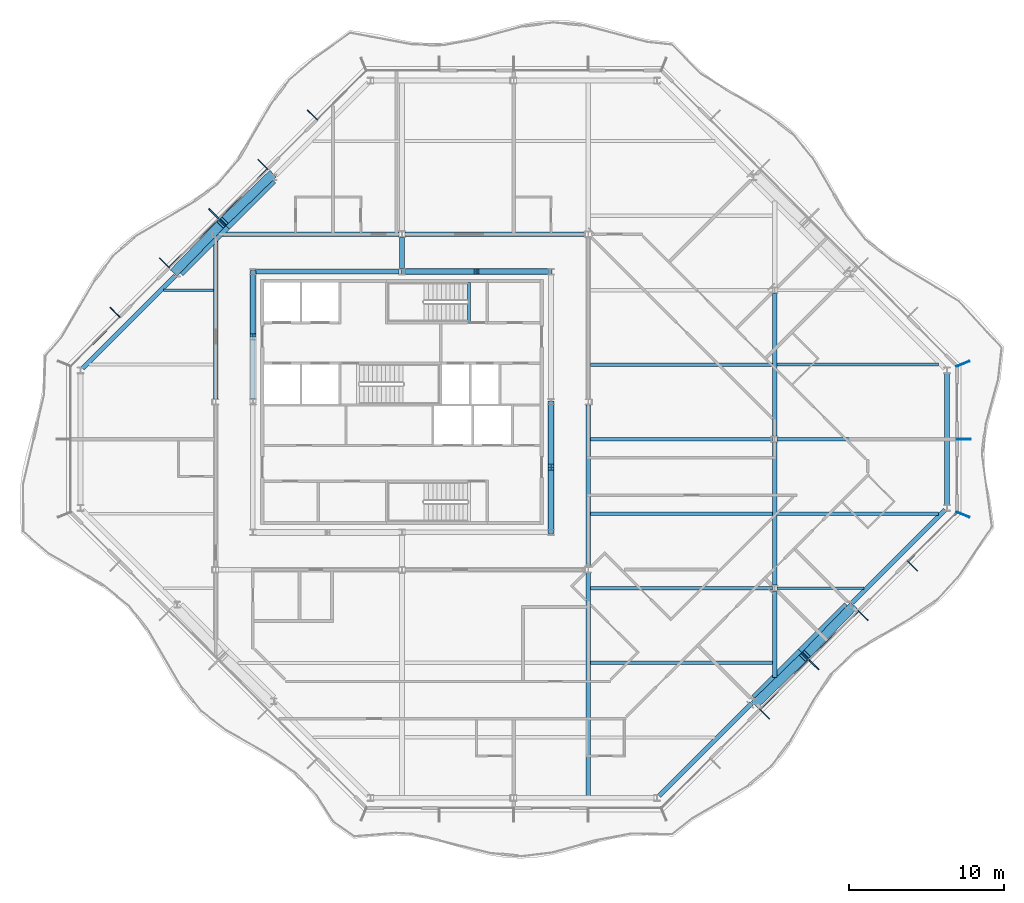
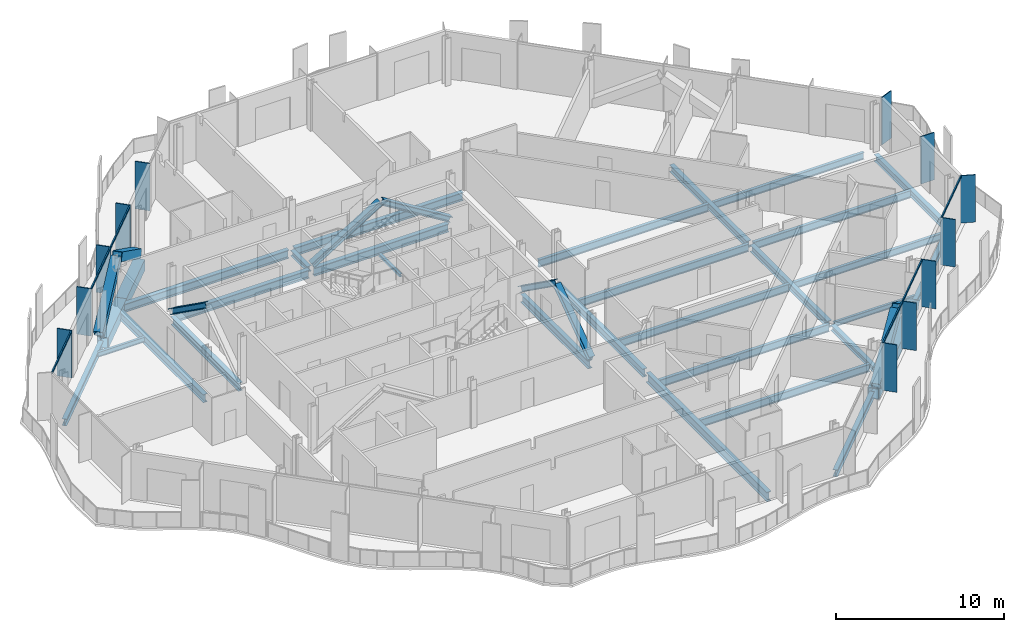
# One storey, part 4 of 17: 32 beams, 27 members, 4 elements without a shape of their own.
"""IFC4 building model written with IfcOpenShell, lengths in metres."""

from ifc_helpers import new_model, si_unit, direction, frame, origin, origin_2d, place, context, subcontext, project, spatial, rectangle, hollow_rectangle, i_section, extrude, material, material_profile, profile_set, type_object, element, aggregate, save


model = new_model("IFC4")

# Units and contexts
model_context = context("Model", 3, precision=1e-05, world=origin(), true_north=direction((0.0, 1.0)))
body_context = subcontext(model_context, "Body", "Model", "MODEL_VIEW")
ifc_project = project(units=[si_unit("LENGTHUNIT", "METRE"), si_unit("AREAUNIT", "SQUARE_METRE"), si_unit("VOLUMEUNIT", "CUBIC_METRE"), si_unit("PLANEANGLEUNIT", "RADIAN"), si_unit("MASSUNIT", "GRAM", prefix="KILO")], contexts=[model_context])

# Site, building, storey
site_placement = place(None, origin())
site = spatial("IfcSite", under=ifc_project, at=site_placement, CompositionType="ELEMENT")
building_placement = place(site_placement, origin())
building = spatial("IfcBuilding", under=site, at=building_placement, Name="Cairn Pilgrim Tower", CompositionType="ELEMENT")
storey_placement = place(building_placement, frame((0.0, 0.0, 239.39990234375)))
storey = spatial("IfcBuildingStorey", under=building, at=storey_placement, Name="L61", CompositionType="ELEMENT", Elevation=239.39990234375)

# Members
ifc_material_1 = material(Name="Structural steel S460M", Category="steel")
ifc_material_profile_1 = material_profile(ifc_material_1, hollow_rectangle(XDim=0.60009765625, YDim=0.60009765625, WallThickness=0.034912109375, at=origin_2d()), Name="BOX 600x600x35")
ifc_profile_set_1 = profile_set([ifc_material_profile_1], Name="Structural steel S460M")
member_type_1 = type_object("IfcMemberType", Name="BOX 600x600x35 BRACE", PredefinedType="BRACE", material=ifc_profile_set_1)
for number, where, z_axis, x_axis, name in (
    (1, (30.01318359375, -16.99462890625, 0.150146484375), (0.611821665796, 0.59315674176, 0.523296597512), (-0.696070308653, 0.717973624454, 0.0), "XB-SE2-SE3-1"),
    (2, (36.194580078125, -10.813232421875, 0.150146484375), (-0.59315674176, -0.611821665796, 0.523296597512), (0.717973624454, -0.696070308653, 0.0), "XB-SE2-SE3-2"),
    (3, (-1.213134765625, 16.99462890625, 0.150146484375), (-0.611821665796, -0.59315674176, 0.523296597512), (0.696070308653, -0.717973624454, 0.0), "XB-NW2-NW3-1"),
    (4, (-7.394775390625, 10.813232421875, 0.150146484375), (0.59315674176, 0.611821665796, 0.523296597512), (-0.717973624454, 0.696070308653, 0.0), "XB-NW2-NW3-2"),
):
    element("IfcMember", number, at=place(storey_placement, frame(where, z_axis=z_axis, x_axis=x_axis)), inside=storey, type_object=member_type_1, Name=name, PredefinedType="BRACE", context=body_context, shape_type="SweptSolid", body=[
        extrude(hollow_rectangle(XDim=0.60009765625, YDim=0.60009765625, WallThickness=0.034912109375, at=origin_2d()), origin(), (0.0, 0.0, 1.0), 5.035888671875),
    ])

# Beams
ifc_material_2 = material(Name="Structural steel S355J2", Category="steel")
ifc_material_profile_2 = material_profile(ifc_material_2, hollow_rectangle(XDim=0.699951171875, YDim=0.800048828125, WallThickness=0.0400390625, at=origin_2d()), Name="BOX 700x800x40")
ifc_profile_set_2 = profile_set([ifc_material_profile_2], Name="Structural steel S355J2")
beam_type_1 = type_object("IfcBeamType", Name="BOX 700x800x40 RING GIRDER", PredefinedType="SPANDREL", material=ifc_profile_set_2)
for number, where, z_axis, x_axis, name in (
    (5, (29.97998046875, -16.747314453125, -0.5498046875), (0.707106781187, 0.707106781187, 0.0), (-0.707106781187, 0.707106781187, 0.0), "RG3-SE2-SE3-1"),
    (6, (32.963623046875, -13.763671875, -0.5498046875), (0.707106781187, 0.707106781187, 0.0), (-0.707106781187, 0.707106781187, 0.0), "RG3-SE2-SE3-2"),
    (7, (-1.179931640625, 16.747314453125, -0.5498046875), (-0.707106781187, -0.707106781187, 0.0), (0.707106781187, -0.707106781187, 0.0), "RG3-NW2-NW3-1"),
    (8, (-4.16357421875, 13.763671875, -0.5498046875), (-0.707106781187, -0.707106781187, 0.0), (0.707106781187, -0.707106781187, 0.0), "RG3-NW2-NW3-2"),
):
    element("IfcBeam", number, at=place(storey_placement, frame(where, z_axis=z_axis, x_axis=x_axis)), inside=storey, type_object=beam_type_1, Name=name, PredefinedType="SPANDREL", context=body_context, shape_type="SweptSolid", body=[
        extrude(hollow_rectangle(XDim=0.699951171875, YDim=0.800048828125, WallThickness=0.0400390625, at=origin_2d()), origin(), (0.0, 0.0, 1.0), 4.219482421875),
    ])

# Curtain wall, members
ifc_material_3 = material(Name="Aluminium alloy 6063-T6 bronze anodised with Bronze tinted laminated low-E glass 8+16+8.8", Category="aluminium")
curtain_wall_type_1 = type_object("IfcCurtainWallType", Name="CHAMFER CORNER CURTAIN WALL", PredefinedType="NOTDEFINED", material=ifc_material_3)
curtain_wall_1_placement = place(storey_placement, origin())
curtain_wall_1 = element("IfcCurtainWall", 9, at=curtain_wall_1_placement, inside=storey, type_object=curtain_wall_type_1, Name="Chamfer Corner Curtain Wall SE", PredefinedType="NOTDEFINED")
ifc_material_4 = material(Name="Aluminium alloy 6063-T6 bronze anodised", Category="aluminium")
ifc_material_profile_3 = material_profile(ifc_material_4, rectangle(XDim=0.89990234375, YDim=0.06005859375, at=origin_2d()), Name="FIN MULLION 60x900 BRONZE")
ifc_profile_set_3 = profile_set([ifc_material_profile_3], Name="Aluminium alloy 6063-T6 bronze anodised")
member_type_2 = type_object("IfcMemberType", Name="FIN MULLION 60x900 BRONZE", PredefinedType="MULLION", material=ifc_profile_set_3)
member_1_placement = place(storey_placement, frame((30.544677734375, -17.69580078125, 0.0), z_axis=(0.0, 0.0, 1.0), x_axis=(0.707106781187, -0.707106781187, 0.0)))
member_1 = element("IfcMember", 10, at=member_1_placement, type_object=member_type_2, Name="Fin mullion SE3", PredefinedType="MULLION", context=body_context, shape_type="SweptSolid", body=[
    extrude(rectangle(XDim=0.89990234375, YDim=0.06005859375, at=origin_2d()), origin(), (0.0, 0.0, 1.0), 3.4501953125),
])
member_2_placement = place(storey_placement, frame((33.72021484375, -14.520263671875, 0.0), z_axis=(0.0, 0.0, 1.0), x_axis=(0.707106781187, -0.707106781187, 0.0)))
member_2 = element("IfcMember", 11, at=member_2_placement, type_object=member_type_2, Name="Fin mullion SE4", PredefinedType="MULLION", context=body_context, shape_type="SweptSolid", body=[
    extrude(rectangle(XDim=0.89990234375, YDim=0.06005859375, at=origin_2d()), origin(), (0.0, 0.0, 1.0), 3.4501953125),
])
member_3_placement = place(storey_placement, frame((36.895751953125, -11.3447265625, 0.0), z_axis=(0.0, 0.0, 1.0), x_axis=(0.707106781187, -0.707106781187, 0.0)))
member_3 = element("IfcMember", 12, at=member_3_placement, type_object=member_type_2, Name="Fin mullion SE5", PredefinedType="MULLION", context=body_context, shape_type="SweptSolid", body=[
    extrude(rectangle(XDim=0.89990234375, YDim=0.06005859375, at=origin_2d()), origin(), (0.0, 0.0, 1.0), 3.4501953125),
])
member_4_placement = place(storey_placement, frame((40.0712890625, -8.1689453125, 0.0), z_axis=(0.0, 0.0, 1.0), x_axis=(0.707106781187, -0.707106781187, 0.0)))
member_4 = element("IfcMember", 13, at=member_4_placement, type_object=member_type_2, Name="Fin mullion SE6", PredefinedType="MULLION", context=body_context, shape_type="SweptSolid", body=[
    extrude(rectangle(XDim=0.89990234375, YDim=0.06005859375, at=origin_2d()), origin(), (0.0, 0.0, 1.0), 3.4501953125),
])

curtain_wall_type_2 = type_object("IfcCurtainWallType", Name="TOWER STICK CURTAIN WALL EW", PredefinedType="NOTDEFINED", material=ifc_material_3)
curtain_wall_2_placement = place(storey_placement, origin())
curtain_wall_2 = element("IfcCurtainWall", 14, at=curtain_wall_2_placement, inside=storey, type_object=curtain_wall_type_2, Name="Tower Stick Curtain Wall Ew E", PredefinedType="NOTDEFINED")
member_5_placement = place(storey_placement, frame((43.338134765625, -4.857177734375, 0.0), z_axis=(0.0, 0.0, 1.0), x_axis=(0.923879532511, -0.382683432365, 0.0)))
member_5 = element("IfcMember", 15, at=member_5_placement, type_object=member_type_2, Name="Fin mullion E1", PredefinedType="MULLION", context=body_context, shape_type="SweptSolid", body=[
    extrude(rectangle(XDim=0.89990234375, YDim=0.06005859375, at=origin_2d()), origin(), (0.0, 0.0, 1.0), 3.4501953125),
])
member_6_placement = place(storey_placement, frame((43.3701171875, 0.0, 0.0), z_axis=(0.0, 0.0, 1.0), x_axis=(1.0, 0.0, 0.0)))
member_6 = element("IfcMember", 16, at=member_6_placement, type_object=member_type_2, Name="Fin mullion E2", PredefinedType="MULLION", context=body_context, shape_type="SweptSolid", body=[
    extrude(rectangle(XDim=0.89990234375, YDim=0.06005859375, at=origin_2d()), origin(), (0.0, 0.0, 1.0), 3.4501953125),
])
aggregate(curtain_wall_2, [member_5, member_6])

# Curtain wall, member
curtain_wall_3_placement = place(storey_placement, origin())
curtain_wall_3 = element("IfcCurtainWall", 17, at=curtain_wall_3_placement, inside=storey, type_object=curtain_wall_type_1, Name="Chamfer Corner Curtain Wall NE", PredefinedType="NOTDEFINED")
member_7_placement = place(storey_placement, frame((43.338134765625, 4.857177734375, 0.0), z_axis=(0.0, 0.0, 1.0), x_axis=(0.923879532511, 0.382683432365, 0.0)))
member_7 = element("IfcMember", 18, at=member_7_placement, type_object=member_type_2, Name="Fin mullion NE1", PredefinedType="MULLION", context=body_context, shape_type="SweptSolid", body=[
    extrude(rectangle(XDim=0.89990234375, YDim=0.06005859375, at=origin_2d()), origin(), (0.0, 0.0, 1.0), 3.4501953125),
])
aggregate(curtain_wall_3, [member_7])

# Curtain wall, members
curtain_wall_4_placement = place(storey_placement, origin())
curtain_wall_4 = element("IfcCurtainWall", 19, at=curtain_wall_4_placement, inside=storey, type_object=curtain_wall_type_1, Name="Chamfer Corner Curtain Wall NW", PredefinedType="NOTDEFINED")
member_8_placement = place(storey_placement, frame((1.430908203125, 20.871337890625, 0.0), z_axis=(0.0, 0.0, 1.0), x_axis=(-0.707106781187, 0.707106781187, 0.0)))
member_8 = element("IfcMember", 20, at=member_8_placement, type_object=member_type_2, Name="Fin mullion NW2", PredefinedType="MULLION", context=body_context, shape_type="SweptSolid", body=[
    extrude(rectangle(XDim=0.89990234375, YDim=0.06005859375, at=origin_2d()), origin(), (0.0, 0.0, 1.0), 3.4501953125),
])
member_9_placement = place(storey_placement, frame((-1.74462890625, 17.69580078125, 0.0), z_axis=(0.0, 0.0, 1.0), x_axis=(-0.707106781187, 0.707106781187, 0.0)))
member_9 = element("IfcMember", 21, at=member_9_placement, type_object=member_type_2, Name="Fin mullion NW3", PredefinedType="MULLION", context=body_context, shape_type="SweptSolid", body=[
    extrude(rectangle(XDim=0.89990234375, YDim=0.06005859375, at=origin_2d()), origin(), (0.0, 0.0, 1.0), 3.4501953125),
])
member_10_placement = place(storey_placement, frame((-4.920166015625, 14.520263671875, 0.0), z_axis=(0.0, 0.0, 1.0), x_axis=(-0.707106781187, 0.707106781187, 0.0)))
member_10 = element("IfcMember", 22, at=member_10_placement, type_object=member_type_2, Name="Fin mullion NW4", PredefinedType="MULLION", context=body_context, shape_type="SweptSolid", body=[
    extrude(rectangle(XDim=0.89990234375, YDim=0.06005859375, at=origin_2d()), origin(), (0.0, 0.0, 1.0), 3.4501953125),
])
member_11_placement = place(storey_placement, frame((-8.095703125, 11.3447265625, 0.0), z_axis=(0.0, 0.0, 1.0), x_axis=(-0.707106781187, 0.707106781187, 0.0)))
member_11 = element("IfcMember", 23, at=member_11_placement, type_object=member_type_2, Name="Fin mullion NW5", PredefinedType="MULLION", context=body_context, shape_type="SweptSolid", body=[
    extrude(rectangle(XDim=0.89990234375, YDim=0.06005859375, at=origin_2d()), origin(), (0.0, 0.0, 1.0), 3.4501953125),
])
member_12_placement = place(storey_placement, frame((-11.271484375, 8.1689453125, 0.0), z_axis=(0.0, 0.0, 1.0), x_axis=(-0.707106781187, 0.707106781187, 0.0)))
member_12 = element("IfcMember", 24, at=member_12_placement, type_object=member_type_2, Name="Fin mullion NW6", PredefinedType="MULLION", context=body_context, shape_type="SweptSolid", body=[
    extrude(rectangle(XDim=0.89990234375, YDim=0.06005859375, at=origin_2d()), origin(), (0.0, 0.0, 1.0), 3.4501953125),
])

# Members
ifc_material_profile_4 = material_profile(ifc_material_2, i_section(OverallWidth=0.39794921875, OverallDepth=0.386962890625, WebThickness=0.02099609375, FlangeThickness=0.033203125, FilletRadius=0.014892578125, at=origin_2d()), Name="HD 400x262")
ifc_profile_set_4 = profile_set([ifc_material_profile_4], Name="Structural steel S355J2")
member_type_3 = type_object("IfcMemberType", Name="HD 400x262 BRACE", PredefinedType="BRACE", material=ifc_profile_set_4)
for number, where, z_axis, x_axis, name in (
    (25, (16.800048828125, -5.960205078125, 0.10009765625), (0.0, 0.814462005215, 0.580216892258), (-1.0, 0.0, 0.0), "KB-2A"),
    (26, (16.800048828125, 2.360107421875, 0.10009765625), (0.0, -0.814462005215, 0.580216892258), (1.0, 0.0, 0.0), "KB-2B"),
):
    element("IfcMember", number, at=place(storey_placement, frame(where, z_axis=z_axis, x_axis=x_axis)), inside=storey, type_object=member_type_3, Name=name, PredefinedType="BRACE", context=body_context, shape_type="SweptSolid", body=[
        extrude(i_section(OverallWidth=0.39794921875, OverallDepth=0.386962890625, WebThickness=0.02099609375, FlangeThickness=0.033203125, FilletRadius=0.014892578125, at=origin_2d()), origin(), (0.0, 0.0, 1.0), 4.999755859375),
    ])
for number, where, z_axis, x_axis, name in (
    (27, (16.76025390625, 10.800048828125, 0.10009765625), (-0.85122905108, 0.0, 0.524794343145), (0.0, -1.0, 0.0), "KB-3A"),
    (28, (7.23974609375, 10.800048828125, 0.10009765625), (0.85122905108, 0.0, 0.524794343145), (0.0, 1.0, 0.0), "KB-3B"),
):
    element("IfcMember", number, at=place(storey_placement, frame(where, z_axis=z_axis, x_axis=x_axis)), inside=storey, type_object=member_type_3, Name=name, PredefinedType="BRACE", context=body_context, shape_type="SweptSolid", body=[
        extrude(i_section(OverallWidth=0.39794921875, OverallDepth=0.386962890625, WebThickness=0.02099609375, FlangeThickness=0.033203125, FilletRadius=0.014892578125, at=origin_2d()), origin(), (0.0, 0.0, 1.0), 5.530029296875),
    ])
member_13_placement = place(storey_placement, frame((-2.39990234375, 10.76025390625, 0.10009765625), z_axis=(0.0, -0.814462005215, 0.580216892258), x_axis=(1.0, 0.0, 0.0)))
element("IfcMember", 29, at=member_13_placement, inside=storey, type_object=member_type_3, Name="KB-4A", PredefinedType="BRACE", context=body_context, shape_type="SweptSolid", body=[
    extrude(i_section(OverallWidth=0.39794921875, OverallDepth=0.386962890625, WebThickness=0.02099609375, FlangeThickness=0.033203125, FilletRadius=0.014892578125, at=origin_2d()), origin(), (0.0, 0.0, 1.0), 4.999755859375),
])

# Beams
ifc_material_profile_5 = material_profile(ifc_material_2, i_section(OverallWidth=0.300048828125, OverallDepth=0.39990234375, WebThickness=0.013427734375, FlangeThickness=0.02392578125, FilletRadius=0.027099609375, at=origin_2d()), Name="HEB 400")
ifc_profile_set_5 = profile_set([ifc_material_profile_5], Name="Structural steel S355J2")
beam_type_2 = type_object("IfcBeamType", Name="HEB 400 GIRDER", PredefinedType="BEAM", material=ifc_profile_set_5)
beam_1_placement = place(storey_placement, frame((7.199951171875, 10.9990234375, -0.349853515625), z_axis=(0.0, 1.0, 0.0), x_axis=(-1.0, 0.0, 0.0)))
element("IfcBeam", 30, at=beam_1_placement, inside=storey, type_object=beam_type_2, Name="PG3-E2", PredefinedType="BEAM", context=body_context, shape_type="SweptSolid", body=[
    extrude(i_section(OverallWidth=0.300048828125, OverallDepth=0.39990234375, WebThickness=0.013427734375, FlangeThickness=0.02392578125, FilletRadius=0.027099609375, at=origin_2d()), origin(), (0.0, 0.0, 1.0), 2.00390625),
])
beam_2_placement = place(storey_placement, frame((31.199951171875, -15.34521484375, -0.349853515625), z_axis=(0.0, 1.0, 0.0), x_axis=(-1.0, 0.0, 0.0)))
element("IfcBeam", 31, at=beam_2_placement, inside=storey, type_object=beam_type_2, Name="PG5-1", PredefinedType="BEAM", context=body_context, shape_type="SweptSolid", body=[
    extrude(i_section(OverallWidth=0.300048828125, OverallDepth=0.39990234375, WebThickness=0.013427734375, FlangeThickness=0.02392578125, FilletRadius=0.027099609375, at=origin_2d()), origin(), (0.0, 0.0, 1.0), 5.545654296875),
])
ifc_material_profile_6 = material_profile(ifc_material_2, i_section(OverallWidth=0.300048828125, OverallDepth=0.5, WebThickness=0.014404296875, FlangeThickness=0.028076171875, FilletRadius=0.027099609375, at=origin_2d()), Name="HEB 500")
ifc_profile_set_6 = profile_set([ifc_material_profile_6], Name="Structural steel S355J2")
beam_type_3 = type_object("IfcBeamType", Name="HEB 500 GIRDER", PredefinedType="BEAM", material=ifc_profile_set_6)
for number, where, z_axis, x_axis, name in (
    (32, (31.199951171875, -9.400390625, -0.39990234375), (0.0, 1.0, 0.0), (-1.0, 0.0, 0.0), "PG5-2"),
    (33, (31.199951171875, 0.199462890625, -0.39990234375), (0.0, 1.0, 0.0), (-1.0, 0.0, 0.0), "PG5-3"),
):
    element("IfcBeam", number, at=place(storey_placement, frame(where, z_axis=z_axis, x_axis=x_axis)), inside=storey, type_object=beam_type_3, Name=name, PredefinedType="BEAM", context=body_context, shape_type="SweptSolid", body=[
        extrude(i_section(OverallWidth=0.300048828125, OverallDepth=0.5, WebThickness=0.014404296875, FlangeThickness=0.028076171875, FilletRadius=0.027099609375, at=origin_2d()), origin(), (0.0, 0.0, 1.0), 9.200927734375),
    ])
ifc_material_profile_7 = material_profile(ifc_material_2, i_section(OverallWidth=0.300048828125, OverallDepth=0.5, WebThickness=0.014404296875, FlangeThickness=0.028076171875, FilletRadius=0.027099609375, at=origin_2d()), Name="HEB 500")
ifc_profile_set_7 = profile_set([ifc_material_profile_7], Name="Structural steel S355J2")
beam_type_4 = type_object("IfcBeamType", Name="HEB 500 RING GIRDER", PredefinedType="SPANDREL", material=ifc_profile_set_7)
for number, where, z_axis, x_axis, name in (
    (34, (23.755859375, -22.971435546875, -0.39990234375), (0.707106781187, 0.707106781187, 0.0), (-0.707106781187, 0.707106781187, 0.0), "RG3-SE1-SE2"),
    (35, (36.204345703125, -10.52294921875, -0.39990234375), (0.707106781187, 0.707106781187, 0.0), (-0.707106781187, 0.707106781187, 0.0), "RG3-SE3-E1"),
):
    element("IfcBeam", number, at=place(storey_placement, frame(where, z_axis=z_axis, x_axis=x_axis)), inside=storey, type_object=beam_type_4, Name=name, PredefinedType="SPANDREL", context=body_context, shape_type="SweptSolid", body=[
        extrude(i_section(OverallWidth=0.300048828125, OverallDepth=0.5, WebThickness=0.014404296875, FlangeThickness=0.028076171875, FilletRadius=0.027099609375, at=origin_2d()), origin(), (0.0, 0.0, 1.0), 8.438720703125),
    ])
beam_3_placement = place(storey_placement, frame((42.300048828125, -4.245361328125, -0.39990234375), z_axis=(0.0, 1.0, 0.0), x_axis=(-1.0, 0.0, 0.0)))
element("IfcBeam", 36, at=beam_3_placement, inside=storey, type_object=beam_type_4, Name="RG3-E1-NE1", PredefinedType="SPANDREL", context=body_context, shape_type="SweptSolid", body=[
    extrude(i_section(OverallWidth=0.300048828125, OverallDepth=0.5, WebThickness=0.014404296875, FlangeThickness=0.028076171875, FilletRadius=0.027099609375, at=origin_2d()), origin(), (0.0, 0.0, 1.0), 8.49072265625),
])
beam_4_placement = place(storey_placement, frame((-7.404296875, 10.52294921875, -0.39990234375), z_axis=(-0.707106781187, -0.707106781187, 0.0), x_axis=(0.707106781187, -0.707106781187, 0.0)))
element("IfcBeam", 37, at=beam_4_placement, inside=storey, type_object=beam_type_4, Name="RG3-NW3-W1", PredefinedType="SPANDREL", context=body_context, shape_type="SweptSolid", body=[
    extrude(i_section(OverallWidth=0.300048828125, OverallDepth=0.5, WebThickness=0.014404296875, FlangeThickness=0.028076171875, FilletRadius=0.027099609375, at=origin_2d()), origin(), (0.0, 0.0, 1.0), 8.438720703125),
])
ifc_material_profile_8 = material_profile(ifc_material_2, i_section(OverallWidth=0.300048828125, OverallDepth=0.60009765625, WebThickness=0.015380859375, FlangeThickness=0.030029296875, FilletRadius=0.027099609375, at=origin_2d()), Name="HEB 600")
ifc_profile_set_8 = profile_set([ifc_material_profile_8], Name="Structural steel S355J2")
beam_type_5 = type_object("IfcBeamType", Name="HEB 600 CORE BEAM", PredefinedType="BEAM", material=ifc_profile_set_8)
beam_5_placement = place(storey_placement, frame((16.800048828125, -5.82080078125, -0.449951171875), z_axis=(0.0, 1.0, 0.0), x_axis=(-1.0, 0.0, 0.0)))
element("IfcBeam", 38, at=beam_5_placement, inside=storey, type_object=beam_type_5, Name="CB-3", PredefinedType="BEAM", context=body_context, shape_type="SweptSolid", body=[
    extrude(i_section(OverallWidth=0.300048828125, OverallDepth=0.60009765625, WebThickness=0.015380859375, FlangeThickness=0.030029296875, FilletRadius=0.027099609375, at=origin_2d()), origin(), (0.0, 0.0, 1.0), 8.041748046875),
])
beam_6_placement = place(storey_placement, frame((16.620849609375, 10.800048828125, -0.449951171875), z_axis=(-1.0, 0.0, 0.0), x_axis=(0.0, -1.0, 0.0)))
element("IfcBeam", 39, at=beam_6_placement, inside=storey, type_object=beam_type_5, Name="CB-5", PredefinedType="BEAM", context=body_context, shape_type="SweptSolid", body=[
    extrude(i_section(OverallWidth=0.300048828125, OverallDepth=0.60009765625, WebThickness=0.015380859375, FlangeThickness=0.030029296875, FilletRadius=0.027099609375, at=origin_2d()), origin(), (0.0, 0.0, 1.0), 9.24169921875),
])
beam_7_placement = place(storey_placement, frame((7.02099609375, 10.800048828125, -0.449951171875), z_axis=(-1.0, 0.0, 0.0), x_axis=(0.0, -1.0, 0.0)))
element("IfcBeam", 40, at=beam_7_placement, inside=storey, type_object=beam_type_5, Name="CB-6", PredefinedType="BEAM", context=body_context, shape_type="SweptSolid", body=[
    extrude(i_section(OverallWidth=0.300048828125, OverallDepth=0.60009765625, WebThickness=0.015380859375, FlangeThickness=0.030029296875, FilletRadius=0.027099609375, at=origin_2d()), origin(), (0.0, 0.0, 1.0), 9.241943359375),
])
beam_8_placement = place(storey_placement, frame((-2.39990234375, 10.620849609375, -0.449951171875), z_axis=(0.0, -1.0, 0.0), x_axis=(1.0, 0.0, 0.0)))
element("IfcBeam", 41, at=beam_8_placement, inside=storey, type_object=beam_type_5, Name="CB-7", PredefinedType="BEAM", context=body_context, shape_type="SweptSolid", body=[
    extrude(i_section(OverallWidth=0.300048828125, OverallDepth=0.60009765625, WebThickness=0.015380859375, FlangeThickness=0.030029296875, FilletRadius=0.027099609375, at=origin_2d()), origin(), (0.0, 0.0, 1.0), 8.041748046875),
])
ifc_material_profile_9 = material_profile(ifc_material_2, i_section(OverallWidth=0.300048828125, OverallDepth=0.60009765625, WebThickness=0.015380859375, FlangeThickness=0.030029296875, FilletRadius=0.027099609375, at=origin_2d()), Name="HEB 600")
ifc_profile_set_9 = profile_set([ifc_material_profile_9], Name="Structural steel S355J2")
beam_type_6 = type_object("IfcBeamType", Name="HEB 600 GIRDER", PredefinedType="BEAM", material=ifc_profile_set_9)
beam_9_placement = place(storey_placement, frame((-4.800048828125, 2.596923828125, -0.449951171875), z_axis=(0.0, 1.0, 0.0), x_axis=(-1.0, 0.0, 0.0)))
element("IfcBeam", 42, at=beam_9_placement, inside=storey, type_object=beam_type_6, Name="PG2-3", PredefinedType="BEAM", context=body_context, shape_type="SweptSolid", body=[
    extrude(i_section(OverallWidth=0.300048828125, OverallDepth=0.60009765625, WebThickness=0.015380859375, FlangeThickness=0.030029296875, FilletRadius=0.027099609375, at=origin_2d()), origin(), (0.0, 0.0, 1.0), 10.34814453125),
])
beam_10_placement = place(storey_placement, frame((19.199951171875, -8.202880859375, -0.449951171875), z_axis=(0.0, 1.0, 0.0), x_axis=(-1.0, 0.0, 0.0)))
element("IfcBeam", 43, at=beam_10_placement, inside=storey, type_object=beam_type_6, Name="PG4-2", PredefinedType="BEAM", context=body_context, shape_type="SweptSolid", body=[
    extrude(i_section(OverallWidth=0.300048828125, OverallDepth=0.60009765625, WebThickness=0.015380859375, FlangeThickness=0.030029296875, FilletRadius=0.027099609375, at=origin_2d()), origin(), (0.0, 0.0, 1.0), 10.40576171875),
])
ifc_material_profile_10 = material_profile(ifc_material_2, i_section(OverallWidth=0.300048828125, OverallDepth=0.60009765625, WebThickness=0.015380859375, FlangeThickness=0.030029296875, FilletRadius=0.027099609375, at=origin_2d()), Name="HEB 600")
ifc_profile_set_10 = profile_set([ifc_material_profile_10], Name="Structural steel S355J2")
beam_type_7 = type_object("IfcBeamType", Name="HEB 600 INNER GIRDER", PredefinedType="BEAM", material=ifc_profile_set_10)
for number, where, z_axis, x_axis, name in (
    (44, (-4.60302734375, 13.199951171875, -0.449951171875), (1.0, 0.0, 0.0), (0.0, 1.0, 0.0), "IG2-1"),
    (45, (7.39697265625, 13.199951171875, -0.449951171875), (1.0, 0.0, 0.0), (0.0, 1.0, 0.0), "IG2-2"),
):
    element("IfcBeam", number, at=place(storey_placement, frame(where, z_axis=z_axis, x_axis=x_axis)), inside=storey, type_object=beam_type_7, Name=name, PredefinedType="BEAM", context=body_context, shape_type="SweptSolid", body=[
        extrude(i_section(OverallWidth=0.300048828125, OverallDepth=0.60009765625, WebThickness=0.015380859375, FlangeThickness=0.030029296875, FilletRadius=0.027099609375, at=origin_2d()), origin(), (0.0, 0.0, 1.0), 11.60595703125),
    ])
ifc_material_profile_11 = material_profile(ifc_material_2, i_section(OverallWidth=0.300048828125, OverallDepth=0.699951171875, WebThickness=0.01708984375, FlangeThickness=0.031982421875, FilletRadius=0.027099609375, at=origin_2d()), Name="HEB 700")
ifc_profile_set_11 = profile_set([ifc_material_profile_11], Name="Structural steel S355J2")
beam_type_8 = type_object("IfcBeamType", Name="HEB 700 GIRDER", PredefinedType="BEAM", material=ifc_profile_set_11)
beam_11_placement = place(storey_placement, frame((19.199951171875, -22.97998046875, -0.5), z_axis=(0.0, 1.0, 0.0), x_axis=(-1.0, 0.0, 0.0)))
element("IfcBeam", 46, at=beam_11_placement, inside=storey, type_object=beam_type_8, Name="PG4-1", PredefinedType="BEAM", context=body_context, shape_type="SweptSolid", body=[
    extrude(i_section(OverallWidth=0.300048828125, OverallDepth=0.699951171875, WebThickness=0.01708984375, FlangeThickness=0.031982421875, FilletRadius=0.027099609375, at=origin_2d()), origin(), (0.0, 0.0, 1.0), 14.383056640625),
])
ifc_material_profile_12 = material_profile(ifc_material_2, i_section(OverallWidth=0.169921875, OverallDepth=0.360107421875, WebThickness=0.008056640625, FlangeThickness=0.0126953125, FilletRadius=0.01806640625, at=origin_2d()), Name="IPE 360")
ifc_profile_set_12 = profile_set([ifc_material_profile_12], Name="Structural steel S355J2")
beam_type_9 = type_object("IfcBeamType", Name="IPE 360 SECONDARY BEAM", PredefinedType="JOIST", material=ifc_profile_set_12)
beam_12_placement = place(storey_placement, frame((31.35009765625, -9.60009765625, -0.329833984375), z_axis=(1.0, 0.0, 0.0), x_axis=(0.0, 1.0, 0.0)))
element("IfcBeam", 47, at=beam_12_placement, inside=storey, type_object=beam_type_9, Name="SB3-3", PredefinedType="JOIST", context=body_context, shape_type="SweptSolid", body=[
    extrude(i_section(OverallWidth=0.169921875, OverallDepth=0.360107421875, WebThickness=0.008056640625, FlangeThickness=0.0126953125, FilletRadius=0.01806640625, at=origin_2d()), origin(), (0.0, 0.0, 1.0), 5.594970703125),
])
beam_13_placement = place(storey_placement, frame((-8.14501953125, 9.60009765625, -0.329833984375), z_axis=(1.0, 0.0, 0.0), x_axis=(0.0, 1.0, 0.0)))
element("IfcBeam", 48, at=beam_13_placement, inside=storey, type_object=beam_type_9, Name="SB7-1", PredefinedType="JOIST", context=body_context, shape_type="SweptSolid", body=[
    extrude(i_section(OverallWidth=0.169921875, OverallDepth=0.360107421875, WebThickness=0.008056640625, FlangeThickness=0.0126953125, FilletRadius=0.01806640625, at=origin_2d()), origin(), (0.0, 0.0, 1.0), 3.195068359375),
])
ifc_material_profile_13 = material_profile(ifc_material_2, i_section(OverallWidth=0.199951171875, OverallDepth=0.5, WebThickness=0.01025390625, FlangeThickness=0.01611328125, FilletRadius=0.02099609375, at=origin_2d()), Name="IPE 500")
ifc_profile_set_13 = profile_set([ifc_material_profile_13], Name="Structural steel S355J2")
beam_type_10 = type_object("IfcBeamType", Name="IPE 500 SECONDARY BEAM", PredefinedType="JOIST", material=ifc_profile_set_13)
for number, where, z_axis, x_axis, name in (
    (49, (31.35009765625, -4.800048828125, -0.39990234375), (1.0, 0.0, 0.0), (0.0, 1.0, 0.0), "SB4-3"),
    (50, (31.35009765625, 4.800048828125, -0.39990234375), (1.0, 0.0, 0.0), (0.0, 1.0, 0.0), "SB6-3"),
):
    element("IfcBeam", number, at=place(storey_placement, frame(where, z_axis=z_axis, x_axis=x_axis)), inside=storey, type_object=beam_type_10, Name=name, PredefinedType="JOIST", context=body_context, shape_type="SweptSolid", body=[
        extrude(i_section(OverallWidth=0.199951171875, OverallDepth=0.5, WebThickness=0.01025390625, FlangeThickness=0.01611328125, FilletRadius=0.02099609375, at=origin_2d()), origin(), (0.0, 0.0, 1.0), 10.39501953125),
    ])
ifc_material_profile_14 = material_profile(ifc_material_2, i_section(OverallWidth=0.2099609375, OverallDepth=0.550048828125, WebThickness=0.010986328125, FlangeThickness=0.01708984375, FilletRadius=0.02392578125, at=origin_2d()), Name="IPE 550")
ifc_profile_set_14 = profile_set([ifc_material_profile_14], Name="Structural steel S355J2")
beam_type_11 = type_object("IfcBeamType", Name="IPE 550 SECONDARY BEAM", PredefinedType="JOIST", material=ifc_profile_set_14)
for number, where, z_axis, x_axis, name in (
    (51, (19.35009765625, -14.39990234375, -0.4248046875), (1.0, 0.0, 0.0), (0.0, 1.0, 0.0), "SB2-3"),
    (52, (19.35009765625, -9.60009765625, -0.4248046875), (1.0, 0.0, 0.0), (0.0, 1.0, 0.0), "SB3-2"),
    (53, (19.35009765625, -4.800048828125, -0.4248046875), (1.0, 0.0, 0.0), (0.0, 1.0, 0.0), "SB4-2"),
    (54, (19.35009765625, 0.0, -0.4248046875), (1.0, 0.0, 0.0), (0.0, 1.0, 0.0), "SB5-2"),
):
    element("IfcBeam", number, at=place(storey_placement, frame(where, z_axis=z_axis, x_axis=x_axis)), inside=storey, type_object=beam_type_11, Name=name, PredefinedType="JOIST", context=body_context, shape_type="SweptSolid", body=[
        extrude(i_section(OverallWidth=0.2099609375, OverallDepth=0.550048828125, WebThickness=0.010986328125, FlangeThickness=0.01708984375, FilletRadius=0.02392578125, at=origin_2d()), origin(), (0.0, 0.0, 1.0), 11.699951171875),
    ])
beam_14_placement = place(storey_placement, frame((31.35009765625, 0.0, -0.4248046875), z_axis=(1.0, 0.0, 0.0), x_axis=(0.0, 1.0, 0.0)))
element("IfcBeam", 55, at=beam_14_placement, inside=storey, type_object=beam_type_11, Name="SB5-3", PredefinedType="JOIST", context=body_context, shape_type="SweptSolid", body=[
    extrude(i_section(OverallWidth=0.2099609375, OverallDepth=0.550048828125, WebThickness=0.010986328125, FlangeThickness=0.01708984375, FilletRadius=0.02392578125, at=origin_2d()), origin(), (0.0, 0.0, 1.0), 10.829833984375),
])
beam_15_placement = place(storey_placement, frame((19.35009765625, 4.800048828125, -0.4248046875), z_axis=(1.0, 0.0, 0.0), x_axis=(0.0, 1.0, 0.0)))
element("IfcBeam", 56, at=beam_15_placement, inside=storey, type_object=beam_type_11, Name="SB6-2", PredefinedType="JOIST", context=body_context, shape_type="SweptSolid", body=[
    extrude(i_section(OverallWidth=0.2099609375, OverallDepth=0.550048828125, WebThickness=0.010986328125, FlangeThickness=0.01708984375, FilletRadius=0.02392578125, at=origin_2d()), origin(), (0.0, 0.0, 1.0), 11.699951171875),
])
ifc_material_profile_15 = material_profile(ifc_material_2, i_section(OverallWidth=0.199951171875, OverallDepth=0.199951171875, WebThickness=0.009033203125, FlangeThickness=0.014892578125, FilletRadius=0.01806640625, at=origin_2d()), Name="HE 200 B")
ifc_profile_set_15 = profile_set([ifc_material_profile_15], Name="Structural steel S355J2")
beam_type_12 = type_object("IfcBeamType", Name="STAIR LANDING BEAM HE 200 B", PredefinedType="BEAM", material=ifc_profile_set_15)
beam_16_placement = place(storey_placement, frame((11.5244140625, 10.10009765625, -0.25), z_axis=(0.0, -1.0, 0.0), x_axis=(1.0, 0.0, 0.0)))
element("IfcBeam", 57, at=beam_16_placement, inside=storey, type_object=beam_type_12, Name="STAIR LANDING BEAM LD-HE200B", PredefinedType="BEAM", context=body_context, shape_type="SweptSolid", body=[
    extrude(i_section(OverallWidth=0.199951171875, OverallDepth=0.199951171875, WebThickness=0.009033203125, FlangeThickness=0.014892578125, FilletRadius=0.01806640625, at=origin_2d()), origin(), (0.0, 0.0, 1.0), 2.525146484375),
])

# Member
ifc_material_profile_16 = material_profile(ifc_material_4, rectangle(XDim=0.080078125, YDim=0.14990234375, at=origin_2d()), Name="TRANSOM 80x150 BRONZE")
ifc_profile_set_16 = profile_set([ifc_material_profile_16], Name="Aluminium alloy 6063-T6 bronze anodised")
member_type_4 = type_object("IfcMemberType", Name="TRANSOM 80x150 BRONZE", PredefinedType="USERDEFINED", material=ifc_profile_set_16)
member_14_placement = place(storey_placement, frame((30.268798828125, -17.377685546875, 3.375), z_axis=(0.707106781187, 0.707106781187, 0.0), x_axis=(-0.707106781187, 0.707106781187, 0.0)))
member_14 = element("IfcMember", 58, at=member_14_placement, type_object=member_type_4, Name="Transom SE3", ObjectType="TRANSOM", PredefinedType="USERDEFINED", context=body_context, shape_type="SweptSolid", body=[
    extrude(rectangle(XDim=0.080078125, YDim=0.14990234375, at=origin_2d()), origin(), (0.0, 0.0, 1.0), 4.43115234375),
])

member_15_placement = place(storey_placement, frame((33.4443359375, -14.201904296875, 3.375), z_axis=(0.707134329907, 0.707079231393, 0.0), x_axis=(-0.707079231393, 0.707134329907, 0.0)))
member_15 = element("IfcMember", 59, at=member_15_placement, type_object=member_type_4, Name="Transom SE4", ObjectType="TRANSOM", PredefinedType="USERDEFINED", context=body_context, shape_type="SweptSolid", body=[
    extrude(rectangle(XDim=0.080078125, YDim=0.14990234375, at=origin_2d()), origin(), (0.0, 0.0, 1.0), 4.430908203125),
])

member_16_placement = place(storey_placement, frame((39.795654296875, -7.850830078125, 3.375), z_axis=(0.707079168996, 0.707134392299, 0.0), x_axis=(-0.707134392299, 0.707079168996, 0.0)))
member_16 = element("IfcMember", 60, at=member_16_placement, type_object=member_type_4, Name="Transom SE6", ObjectType="TRANSOM", PredefinedType="USERDEFINED", context=body_context, shape_type="SweptSolid", body=[
    extrude(rectangle(XDim=0.080078125, YDim=0.14990234375, at=origin_2d()), origin(), (0.0, 0.0, 1.0), 4.4208984375),
])

aggregate(curtain_wall_1, [member_1, member_2, member_3, member_4, member_14, member_15, member_16])

member_17_placement = place(storey_placement, frame((-1.46875, 17.377685546875, 3.375), z_axis=(-0.707106781187, -0.707106781187, 0.0), x_axis=(0.707106781187, -0.707106781187, 0.0)))
member_17 = element("IfcMember", 61, at=member_17_placement, type_object=member_type_4, Name="Transom NW3", ObjectType="TRANSOM", PredefinedType="USERDEFINED", context=body_context, shape_type="SweptSolid", body=[
    extrude(rectangle(XDim=0.080078125, YDim=0.14990234375, at=origin_2d()), origin(), (0.0, 0.0, 1.0), 4.43115234375),
])

member_18_placement = place(storey_placement, frame((-4.64453125, 14.201904296875, 3.375), z_axis=(-0.707106781187, -0.707106781187, 0.0), x_axis=(0.707106781187, -0.707106781187, 0.0)))
member_18 = element("IfcMember", 62, at=member_18_placement, type_object=member_type_4, Name="Transom NW4", ObjectType="TRANSOM", PredefinedType="USERDEFINED", context=body_context, shape_type="SweptSolid", body=[
    extrude(rectangle(XDim=0.080078125, YDim=0.14990234375, at=origin_2d()), origin(), (0.0, 0.0, 1.0), 4.430908203125),
])

member_19_placement = place(storey_placement, frame((-10.99560546875, 7.850830078125, 3.375), z_axis=(-0.707106781187, -0.707106781187, 0.0), x_axis=(0.707106781187, -0.707106781187, 0.0)))
member_19 = element("IfcMember", 63, at=member_19_placement, type_object=member_type_4, Name="Transom NW6", ObjectType="TRANSOM", PredefinedType="USERDEFINED", context=body_context, shape_type="SweptSolid", body=[
    extrude(rectangle(XDim=0.080078125, YDim=0.14990234375, at=origin_2d()), origin(), (0.0, 0.0, 1.0), 4.421142578125),
])

aggregate(curtain_wall_4, [member_8, member_9, member_10, member_11, member_12, member_17, member_18, member_19])

save(model, "model.ifc")
